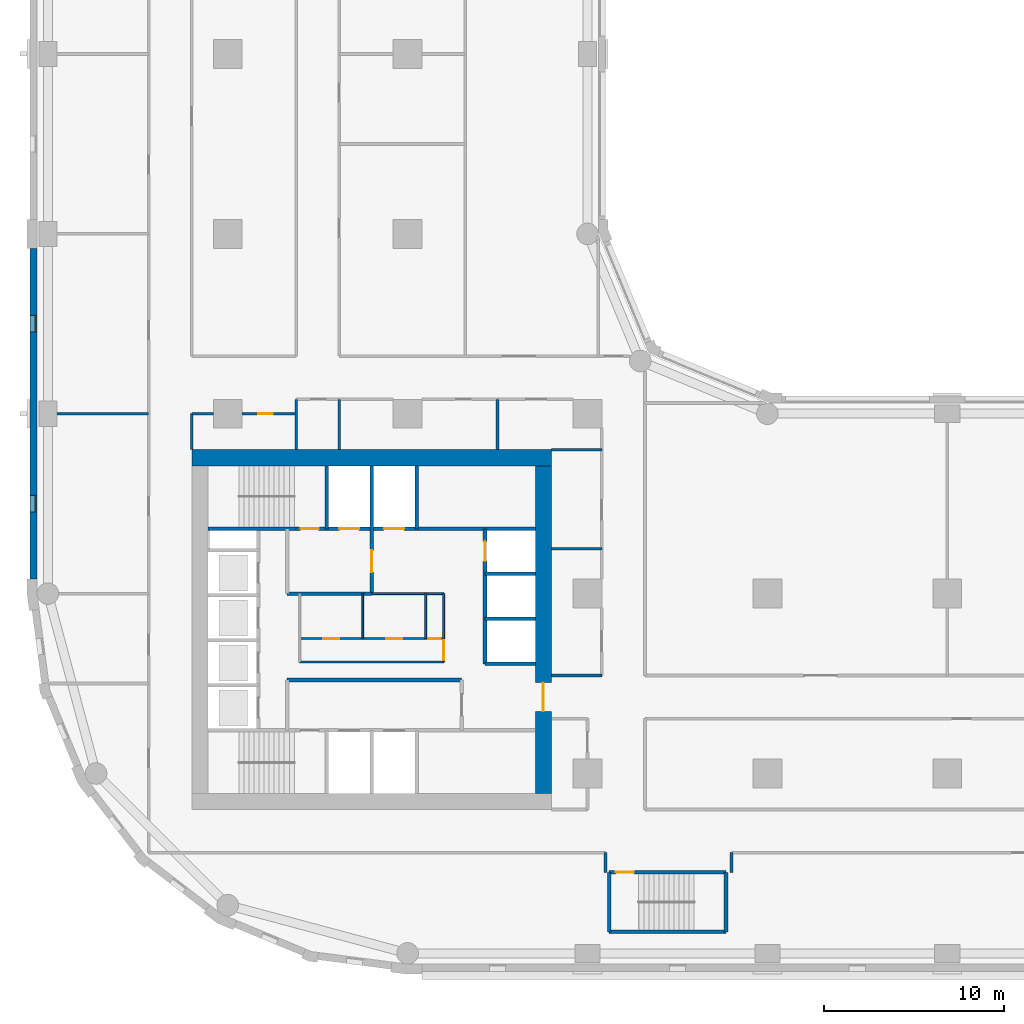
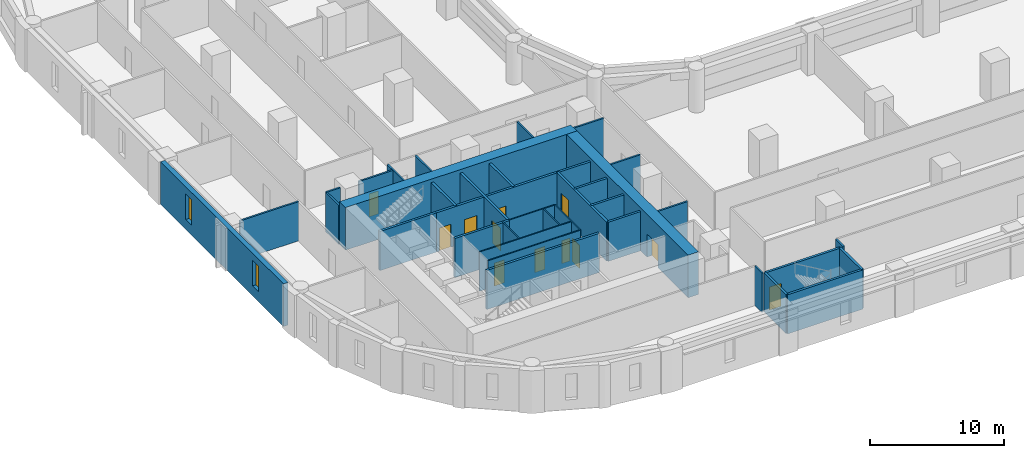
# One storey, part 3 of 10: 36 walls, 12 doors, 2 windows, 14 openings.
"""IFC4 building model written with IfcOpenShell, lengths in metres."""

from ifc_helpers import new_model, si_unit, direction, frame, frame_2d, origin, place, context, subcontext, project, spatial, rectangle, extrude, material, layer, layer_set, type_object, element, fill, save


model = new_model("IFC4")

# Units and contexts
model_context = context("Model", 3, precision=1e-05, world=origin(), true_north=direction((0.0, 1.0)))
body_context = subcontext(model_context, "Body", "Model", "MODEL_VIEW")
ifc_project = project(units=[si_unit("LENGTHUNIT", "METRE"), si_unit("AREAUNIT", "SQUARE_METRE"), si_unit("VOLUMEUNIT", "CUBIC_METRE"), si_unit("PLANEANGLEUNIT", "RADIAN"), si_unit("MASSUNIT", "GRAM", prefix="KILO")], contexts=[model_context])

# Site, building, storey
site_placement = place(None, origin())
site = spatial("IfcSite", under=ifc_project, at=site_placement, CompositionType="ELEMENT")
building_placement = place(site_placement, origin())
building = spatial("IfcBuilding", under=site, at=building_placement, Name="Qaws Garden Tower", CompositionType="ELEMENT")
storey_placement = place(building_placement, frame((0.0, 0.0, 58.800048828125)))
storey = spatial("IfcBuildingStorey", under=building, at=storey_placement, Name="L14", CompositionType="ELEMENT", Elevation=58.800048828125)

# Wall, openings, windows
ifc_material_1 = material(Name="Clay facing brick masonry", Category="masonry")
ifc_layer_1 = layer(ifc_material_1, 0.39990234375)
ifc_layer_set_1 = layer_set([ifc_layer_1], Name="Clay facing brick masonry")
wall_type_1 = type_object("IfcWallType", Name="Brick infill wall 400", PredefinedType="SOLIDWALL", material=ifc_layer_set_1)
wall_1_placement = place(storey_placement, frame((-0.800048828125, 39.199951171875, 0.0), z_axis=(0.0, 0.0, 1.0), x_axis=(0.0, -1.0, 0.0)))
wall_1 = element("IfcWall", 1, at=wall_1_placement, inside=storey, type_object=wall_type_1, Name="E-L14-infill-25", PredefinedType="SOLIDWALL", context=body_context, shape_type="SweptSolid", body=[
    extrude(rectangle(XDim=18.39990234375, YDim=0.39990234375, at=frame_2d((9.199951171875, 0.0))), origin(), (0.0, 0.0, 1.0), 3.89990234375),
])
opening_1_placement = place(wall_1_placement, frame((3.75, 0.0, 0.89990234375)))
opening_1 = element("IfcOpeningElement", 2, at=opening_1_placement, cuts=wall_1, Name="Opening W09", PredefinedType="OPENING", context=body_context, shape_type="SweptSolid", body=[
    extrude(rectangle(XDim=0.89990234375, YDim=2.35009765625, at=frame_2d((0.449951171875, 1.175048828125))), frame((0.0, 0.2099609375, 0.0), z_axis=(0.0, -1.0, 0.0), x_axis=(1.0, 0.0, 0.0)), (0.0, 0.0, 1.0), 0.419921875),
])
opening_2_placement = place(wall_1_placement, frame((13.75, 0.0, 0.89990234375)))
opening_2 = element("IfcOpeningElement", 3, at=opening_2_placement, cuts=wall_1, Name="Opening W09", PredefinedType="OPENING", context=body_context, shape_type="SweptSolid", body=[
    extrude(rectangle(XDim=0.89990234375, YDim=2.35009765625, at=frame_2d((0.449951171875, 1.175048828125))), frame((0.0, 0.2099609375, 0.0), z_axis=(0.0, -1.0, 0.0), x_axis=(1.0, 0.0, 0.0)), (0.0, 0.0, 1.0), 0.419921875),
])
ifc_material_2 = material(Name="Aluminium framed window, clear glazing", Category="aluminium")
window_type = type_object("IfcWindowType", Name="Slit window 900 x 2350", PartitioningType="SINGLE_PANEL", PredefinedType="WINDOW", material=ifc_material_2)
window_1_placement = place(opening_1_placement, origin())
window_1 = element("IfcWindow", 4, at=window_1_placement, inside=storey, type_object=window_type, Name="E-L14-window-25-0", OverallHeight=2.35009765625, OverallWidth=0.89990234375, PartitioningType="SINGLE_PANEL", PredefinedType="WINDOW", context=body_context, shape_type="SweptSolid", body=[
    extrude(rectangle(XDim=0.89990234375, YDim=2.35009765625, at=frame_2d((0.449951171875, 1.175048828125))), frame((0.0, 0.159912109375, 0.0), z_axis=(0.0, -1.0, 0.0), x_axis=(1.0, 0.0, 0.0)), (0.0, 0.0, 1.0), 0.06005859375),
])
fill(opening_1, window_1)
window_2_placement = place(opening_2_placement, origin())
window_2 = element("IfcWindow", 5, at=window_2_placement, inside=storey, type_object=window_type, Name="E-L14-window-26-0", OverallHeight=2.35009765625, OverallWidth=0.89990234375, PartitioningType="SINGLE_PANEL", PredefinedType="WINDOW", context=body_context, shape_type="SweptSolid", body=[
    extrude(rectangle(XDim=0.89990234375, YDim=2.35009765625, at=frame_2d((0.449951171875, 1.175048828125))), frame((0.0, 0.159912109375, 0.0), z_axis=(0.0, -1.0, 0.0), x_axis=(1.0, 0.0, 0.0)), (0.0, 0.0, 1.0), 0.06005859375),
])
fill(opening_2, window_2)

# Wall
ifc_material_3 = material(Name="Plasterboard")
ifc_layer_2 = layer(ifc_material_3, 0.10009765625)
ifc_layer_set_2 = layer_set([ifc_layer_2], Name="Plasterboard")
wall_type_2 = type_object("IfcWallType", Name="Core partition 100", PredefinedType="PARTITIONING", material=ifc_layer_set_2)
wall_2_placement = place(storey_placement, frame((14.0, 16.199951171875, 0.0), z_axis=(0.0, 0.0, 1.0), x_axis=(1.0, 0.0, 0.0)))
element("IfcWall", 6, at=wall_2_placement, inside=storey, type_object=wall_type_2, Name="Core partition", PredefinedType="PARTITIONING", context=body_context, shape_type="SweptSolid", body=[
    extrude(rectangle(XDim=8.0, YDim=0.10009765625, at=frame_2d((4.0, 0.0))), origin(), (0.0, 0.0, 1.0), 3.579833984375),
])

# Wall, openings, doors
wall_3_placement = place(storey_placement, frame((14.0, 17.5, 0.0), z_axis=(0.0, 0.0, 1.0), x_axis=(1.0, 0.0, 0.0)))
wall_3 = element("IfcWall", 7, at=wall_3_placement, inside=storey, type_object=wall_type_2, Name="Core partition", PredefinedType="PARTITIONING", context=body_context, shape_type="SweptSolid", body=[
    extrude(rectangle(XDim=8.0, YDim=0.10009765625, at=frame_2d((4.0, 0.0))), origin(), (0.0, 0.0, 1.0), 3.579833984375),
])
opening_3_placement = place(wall_3_placement, frame((1.300048828125, 0.0, 0.0)))
opening_3 = element("IfcOpeningElement", 8, at=opening_3_placement, cuts=wall_3, Name="Opening WD18", PredefinedType="OPENING", context=body_context, shape_type="SweptSolid", body=[
    extrude(rectangle(XDim=0.89990234375, YDim=2.10009765625, at=frame_2d((0.449951171875, 1.050048828125))), frame((0.0, 0.06005859375, 0.0), z_axis=(0.0, -1.0, 0.0), x_axis=(1.0, 0.0, 0.0)), (0.0, 0.0, 1.0), 0.1201171875),
])
opening_4_placement = place(wall_3_placement, frame((4.800048828125, 0.0, 0.0)))
opening_4 = element("IfcOpeningElement", 9, at=opening_4_placement, cuts=wall_3, Name="Opening WD19", PredefinedType="OPENING", context=body_context, shape_type="SweptSolid", body=[
    extrude(rectangle(XDim=0.89990234375, YDim=2.10009765625, at=frame_2d((0.449951171875, 1.050048828125))), frame((0.0, 0.06005859375, 0.0), z_axis=(0.0, -1.0, 0.0), x_axis=(1.0, 0.0, 0.0)), (0.0, 0.0, 1.0), 0.1201171875),
])
opening_5_placement = place(wall_3_placement, frame((7.14990234375, 0.0, 0.0)))
opening_5 = element("IfcOpeningElement", 10, at=opening_5_placement, cuts=wall_3, Name="Opening XD20", PredefinedType="OPENING", context=body_context, shape_type="SweptSolid", body=[
    extrude(rectangle(XDim=0.699951171875, YDim=2.10009765625, at=frame_2d((0.35009765625, 1.050048828125))), frame((0.0, 0.06005859375, 0.0), z_axis=(0.0, -1.0, 0.0), x_axis=(1.0, 0.0, 0.0)), (0.0, 0.0, 1.0), 0.1201171875),
])
ifc_material_4 = material(Name="Timber", Category="wood")
door_type_1 = type_object("IfcDoorType", Name="Store door 700x2100", OperationType="SINGLE_SWING_LEFT", PredefinedType="DOOR", material=ifc_material_4)
door_1_placement = place(opening_5_placement, origin())
door_1 = element("IfcDoor", 11, at=door_1_placement, inside=storey, type_object=door_type_1, Name="Cleaner's store door", OperationType="SINGLE_SWING_RIGHT", OverallHeight=2.10009765625, OverallWidth=0.699951171875, PredefinedType="DOOR", context=body_context, shape_type="SweptSolid", body=[
    extrude(rectangle(XDim=0.699951171875, YDim=2.10009765625, at=frame_2d((0.35009765625, 1.050048828125))), frame((0.0, 0.02490234375, 0.0), z_axis=(0.0, -1.0, 0.0), x_axis=(1.0, 0.0, 0.0)), (0.0, 0.0, 1.0), 0.050048828125),
])
fill(opening_5, door_1)
ifc_material_5 = material(Name="Timber", Category="wood")
door_type_2 = type_object("IfcDoorType", Name="WC door 900x2100", OperationType="SINGLE_SWING_LEFT", PredefinedType="DOOR", material=ifc_material_5)
door_2_placement = place(opening_3_placement, origin())
door_2 = element("IfcDoor", 12, at=door_2_placement, inside=storey, type_object=door_type_2, Name="Men's WC door", OperationType="SINGLE_SWING_RIGHT", OverallHeight=2.10009765625, OverallWidth=0.89990234375, PredefinedType="DOOR", context=body_context, shape_type="SweptSolid", body=[
    extrude(rectangle(XDim=0.89990234375, YDim=2.10009765625, at=frame_2d((0.449951171875, 1.050048828125))), frame((0.0, 0.02490234375, 0.0), z_axis=(0.0, -1.0, 0.0), x_axis=(1.0, 0.0, 0.0)), (0.0, 0.0, 1.0), 0.050048828125),
])
fill(opening_3, door_2)
door_3_placement = place(opening_4_placement, origin())
door_3 = element("IfcDoor", 13, at=door_3_placement, inside=storey, type_object=door_type_2, Name="Women's WC door", OperationType="SINGLE_SWING_RIGHT", OverallHeight=2.10009765625, OverallWidth=0.89990234375, PredefinedType="DOOR", context=body_context, shape_type="SweptSolid", body=[
    extrude(rectangle(XDim=0.89990234375, YDim=2.10009765625, at=frame_2d((0.449951171875, 1.050048828125))), frame((0.0, 0.02490234375, 0.0), z_axis=(0.0, -1.0, 0.0), x_axis=(1.0, 0.0, 0.0)), (0.0, 0.0, 1.0), 0.050048828125),
])
fill(opening_4, door_3)

# Walls
wall_4_placement = place(storey_placement, frame((18.0, 20.0, 0.0), z_axis=(0.0, 0.0, 1.0), x_axis=(1.0, 0.0, 0.0)))
element("IfcWall", 14, at=wall_4_placement, inside=storey, type_object=wall_type_2, Name="Core partition", PredefinedType="PARTITIONING", context=body_context, shape_type="SweptSolid", body=[
    extrude(rectangle(XDim=4.0, YDim=0.10009765625, at=frame_2d((2.0, 0.0))), origin(), (0.0, 0.0, 1.0), 3.579833984375),
])
for number, where, z_axis, x_axis, name in (
    (15, (17.5, 17.5, 0.0), (0.0, 0.0, 1.0), (0.0, 1.0, 0.0), "Core partition"),
    (16, (21.0, 17.5, 0.0), (0.0, 0.0, 1.0), (0.0, 1.0, 0.0), "Core partition"),
):
    element("IfcWall", number, at=place(storey_placement, frame(where, z_axis=z_axis, x_axis=x_axis)), inside=storey, type_object=wall_type_2, Name=name, PredefinedType="PARTITIONING", context=body_context, shape_type="SweptSolid", body=[
        extrude(rectangle(XDim=2.5, YDim=0.10009765625, at=frame_2d((1.25, 0.0))), origin(), (0.0, 0.0, 1.0), 3.579833984375),
    ])

# Wall, opening, door
wall_5_placement = place(storey_placement, frame((22.0, 16.199951171875, 0.0), z_axis=(0.0, 0.0, 1.0), x_axis=(0.0, 1.0, 0.0)))
wall_5 = element("IfcWall", 17, at=wall_5_placement, inside=storey, type_object=wall_type_2, Name="Core partition", PredefinedType="PARTITIONING", context=body_context, shape_type="SweptSolid", body=[
    extrude(rectangle(XDim=3.800048828125, YDim=0.10009765625, at=frame_2d((1.89990234375, 0.0))), origin(), (0.0, 0.0, 1.0), 3.579833984375),
])
opening_6_placement = place(wall_5_placement, frame((0.10009765625, 0.0, 0.0)))
opening_6 = element("IfcOpeningElement", 18, at=opening_6_placement, cuts=wall_5, Name="Opening WL17", PredefinedType="OPENING", context=body_context, shape_type="SweptSolid", body=[
    extrude(rectangle(XDim=1.10009765625, YDim=2.10009765625, at=frame_2d((0.550048828125, 1.050048828125))), frame((0.0, 0.06005859375, 0.0), z_axis=(0.0, -1.0, 0.0), x_axis=(1.0, 0.0, 0.0)), (0.0, 0.0, 1.0), 0.1201171875),
])
ifc_material_6 = material(Name="Timber", Category="wood")
door_type_3 = type_object("IfcDoorType", Name="WC lobby door 1100x2100", OperationType="SINGLE_SWING_LEFT", PredefinedType="DOOR", material=ifc_material_6)
door_4_placement = place(opening_6_placement, origin())
door_4 = element("IfcDoor", 19, at=door_4_placement, inside=storey, type_object=door_type_3, Name="WC lobby door", OperationType="SINGLE_SWING_RIGHT", OverallHeight=2.10009765625, OverallWidth=1.10009765625, PredefinedType="DOOR", context=body_context, shape_type="SweptSolid", body=[
    extrude(rectangle(XDim=1.10009765625, YDim=2.10009765625, at=frame_2d((0.550048828125, 1.050048828125))), frame((0.0, 0.02490234375, 0.0), z_axis=(0.0, -1.0, 0.0), x_axis=(1.0, 0.0, 0.0)), (0.0, 0.0, 1.0), 0.050048828125),
])
fill(opening_6, door_4)

# Wall
ifc_material_7 = material(Name="Concrete C80", Category="concrete")
ifc_layer_3 = layer(ifc_material_7, 0.199951171875)
ifc_layer_set_3 = layer_set([ifc_layer_3], Name="Concrete C80")
wall_type_3 = type_object("IfcWallType", Name="Core shaft wall 200 C80", PredefinedType="SHEAR", material=ifc_layer_set_3)
wall_6_placement = place(storey_placement, frame((31.199951171875, 1.199951171875, 0.0), z_axis=(0.0, 0.0, 1.0), x_axis=(1.0, 0.0, 0.0)))
element("IfcWall", 20, at=wall_6_placement, inside=storey, type_object=wall_type_3, Name="Shaft wall", PredefinedType="SHEAR", context=body_context, shape_type="SweptSolid", body=[
    extrude(rectangle(XDim=6.5, YDim=0.199951171875, at=frame_2d((3.25, 0.0))), origin(), (0.0, 0.0, 1.0), 3.579833984375),
])

# Wall, opening, door
wall_7_placement = place(storey_placement, frame((31.199951171875, 4.5, 0.0), z_axis=(0.0, 0.0, 1.0), x_axis=(1.0, 0.0, 0.0)))
wall_7 = element("IfcWall", 21, at=wall_7_placement, inside=storey, type_object=wall_type_3, Name="Shaft wall", PredefinedType="SHEAR", context=body_context, shape_type="SweptSolid", body=[
    extrude(rectangle(XDim=6.5, YDim=0.199951171875, at=frame_2d((3.25, 0.0))), origin(), (0.0, 0.0, 1.0), 3.579833984375),
])
opening_7_placement = place(wall_7_placement, frame((0.375, 0.0, 0.0)))
opening_7 = element("IfcOpeningElement", 22, at=opening_7_placement, cuts=wall_7, Name="Opening SD12", PredefinedType="OPENING", context=body_context, shape_type="SweptSolid", body=[
    extrude(rectangle(XDim=1.0, YDim=2.10009765625, at=frame_2d((0.5, 1.050048828125))), frame((0.0, 0.10986328125, 0.0), z_axis=(0.0, -1.0, 0.0), x_axis=(1.0, 0.0, 0.0)), (0.0, 0.0, 1.0), 0.219970703125),
])
ifc_material_8 = material(Name="Steel S235", Category="steel")
door_type_4 = type_object("IfcDoorType", Name="Stair door 1000x2100", OperationType="SINGLE_SWING_RIGHT", PredefinedType="DOOR", material=ifc_material_8)
door_5_placement = place(opening_7_placement, frame((1.0, 0.0, 0.0), z_axis=(0.0, 0.0, 1.0), x_axis=(-1.0, 0.0, 0.0)))
door_5 = element("IfcDoor", 23, at=door_5_placement, inside=storey, type_object=door_type_4, Name="Stair 5 door", OperationType="SINGLE_SWING_RIGHT", OverallHeight=2.10009765625, OverallWidth=1.0, PredefinedType="DOOR", context=body_context, shape_type="SweptSolid", body=[
    extrude(rectangle(XDim=1.0, YDim=2.10009765625, at=frame_2d((0.5, 1.050048828125))), frame((0.0, 0.02490234375, 0.0), z_axis=(0.0, -1.0, 0.0), x_axis=(1.0, 0.0, 0.0)), (0.0, 0.0, 1.0), 0.050048828125),
])
fill(opening_7, door_5)

# Walls
wall_8_placement = place(storey_placement, frame((13.300048828125, 15.199951171875, 0.0), z_axis=(0.0, 0.0, 1.0), x_axis=(1.0, 0.0, 0.0)))
element("IfcWall", 24, at=wall_8_placement, inside=storey, type_object=wall_type_3, Name="Shaft wall", PredefinedType="SHEAR", context=body_context, shape_type="SweptSolid", body=[
    extrude(rectangle(XDim=9.699951171875, YDim=0.199951171875, at=frame_2d((4.85009765625, 0.0))), origin(), (0.0, 0.0, 1.0), 3.579833984375),
])
for number, where, z_axis, x_axis, name in (
    (25, (24.300048828125, 16.10009765625, 0.0), (0.0, 0.0, 1.0), (1.0, 0.0, 0.0), "Shaft wall"),
    (26, (24.300048828125, 18.60009765625, 0.0), (0.0, 0.0, 1.0), (1.0, 0.0, 0.0), "Shaft wall"),
):
    element("IfcWall", number, at=place(storey_placement, frame(where, z_axis=z_axis, x_axis=x_axis)), inside=storey, type_object=wall_type_3, Name=name, PredefinedType="SHEAR", context=body_context, shape_type="SweptSolid", body=[
        extrude(rectangle(XDim=2.800048828125, YDim=0.199951171875, at=frame_2d((1.39990234375, 0.0))), origin(), (0.0, 0.0, 1.0), 3.579833984375),
    ])
wall_9_placement = place(storey_placement, frame((13.300048828125, 20.0, 0.0), z_axis=(0.0, 0.0, 1.0), x_axis=(1.0, 0.0, 0.0)))
element("IfcWall", 27, at=wall_9_placement, inside=storey, type_object=wall_type_3, Name="Shaft wall", PredefinedType="SHEAR", context=body_context, shape_type="SweptSolid", body=[
    extrude(rectangle(XDim=4.699951171875, YDim=0.199951171875, at=frame_2d((2.35009765625, 0.0))), origin(), (0.0, 0.0, 1.0), 3.579833984375),
])
wall_10_placement = place(storey_placement, frame((24.300048828125, 21.10009765625, 0.0), z_axis=(0.0, 0.0, 1.0), x_axis=(1.0, 0.0, 0.0)))
element("IfcWall", 28, at=wall_10_placement, inside=storey, type_object=wall_type_3, Name="Shaft wall", PredefinedType="SHEAR", context=body_context, shape_type="SweptSolid", body=[
    extrude(rectangle(XDim=2.800048828125, YDim=0.199951171875, at=frame_2d((1.39990234375, 0.0))), origin(), (0.0, 0.0, 1.0), 3.579833984375),
])
wall_11_placement = place(storey_placement, frame((8.89990234375, 23.60009765625, 0.0), z_axis=(0.0, 0.0, 1.0), x_axis=(1.0, 0.0, 0.0)))
element("IfcWall", 29, at=wall_11_placement, inside=storey, type_object=wall_type_3, Name="Shaft wall", PredefinedType="SHEAR", context=body_context, shape_type="SweptSolid", body=[
    extrude(rectangle(XDim=4.900146484375, YDim=0.199951171875, at=frame_2d((2.4501953125, 0.0))), origin(), (0.0, 0.0, 1.0), 3.579833984375),
])

# Wall, openings, doors
wall_12_placement = place(storey_placement, frame((13.800048828125, 23.60009765625, 0.0), z_axis=(0.0, 0.0, 1.0), x_axis=(1.0, 0.0, 0.0)))
wall_12 = element("IfcWall", 30, at=wall_12_placement, inside=storey, type_object=wall_type_3, Name="Shaft wall", PredefinedType="SHEAR", context=body_context, shape_type="SweptSolid", body=[
    extrude(rectangle(XDim=13.300048828125, YDim=0.199951171875, at=frame_2d((6.64990234375, 0.0))), origin(), (0.0, 0.0, 1.0), 3.579833984375),
])
opening_8_placement = place(wall_12_placement, frame((2.39990234375, 0.0, 0.0)))
opening_8 = element("IfcOpeningElement", 31, at=opening_8_placement, cuts=wall_12, Name="Opening LD08", PredefinedType="OPENING", context=body_context, shape_type="SweptSolid", body=[
    extrude(rectangle(XDim=1.10009765625, YDim=2.10009765625, at=frame_2d((0.550048828125, 1.050048828125))), frame((0.0, 0.10986328125, 0.0), z_axis=(0.0, -1.0, 0.0), x_axis=(1.0, 0.0, 0.0)), (0.0, 0.0, 1.0), 0.219970703125),
])
opening_9_placement = place(wall_12_placement, frame((4.89990234375, 0.0, 0.0)))
opening_9 = element("IfcOpeningElement", 32, at=opening_9_placement, cuts=wall_12, Name="Opening LD09", PredefinedType="OPENING", context=body_context, shape_type="SweptSolid", body=[
    extrude(rectangle(XDim=1.10009765625, YDim=2.10009765625, at=frame_2d((0.550048828125, 1.050048828125))), frame((0.0, 0.10986328125, 0.0), z_axis=(0.0, -1.0, 0.0), x_axis=(1.0, 0.0, 0.0)), (0.0, 0.0, 1.0), 0.219970703125),
])
opening_10_placement = place(wall_12_placement, frame((0.25, 0.0, 0.0)))
opening_10 = element("IfcOpeningElement", 33, at=opening_10_placement, cuts=wall_12, Name="Opening SD11", PredefinedType="OPENING", context=body_context, shape_type="SweptSolid", body=[
    extrude(rectangle(XDim=1.0, YDim=2.10009765625, at=frame_2d((0.5, 1.050048828125))), frame((0.0, 0.10986328125, 0.0), z_axis=(0.0, -1.0, 0.0), x_axis=(1.0, 0.0, 0.0)), (0.0, 0.0, 1.0), 0.219970703125),
])
ifc_material_9 = material(Name="Steel S235", Category="steel")
door_type_5 = type_object("IfcDoorType", Name="Landing door 1100x2100", OperationType="DOUBLE_DOOR_SLIDING", PredefinedType="DOOR", material=ifc_material_9)
door_6_placement = place(opening_8_placement, origin())
door_6 = element("IfcDoor", 34, at=door_6_placement, inside=storey, type_object=door_type_5, Name="Lift FF3 landing door", OperationType="DOUBLE_DOOR_SLIDING", OverallHeight=2.10009765625, OverallWidth=1.10009765625, PredefinedType="DOOR", context=body_context, shape_type="SweptSolid", body=[
    extrude(rectangle(XDim=1.10009765625, YDim=2.10009765625, at=frame_2d((0.550048828125, 1.050048828125))), frame((0.0, 0.02490234375, 0.0), z_axis=(0.0, -1.0, 0.0), x_axis=(1.0, 0.0, 0.0)), (0.0, 0.0, 1.0), 0.050048828125),
])
fill(opening_8, door_6)
door_7_placement = place(opening_9_placement, origin())
door_7 = element("IfcDoor", 35, at=door_7_placement, inside=storey, type_object=door_type_5, Name="Lift SV2 landing door", OperationType="DOUBLE_DOOR_SLIDING", OverallHeight=2.10009765625, OverallWidth=1.10009765625, PredefinedType="DOOR", context=body_context, shape_type="SweptSolid", body=[
    extrude(rectangle(XDim=1.10009765625, YDim=2.10009765625, at=frame_2d((0.550048828125, 1.050048828125))), frame((0.0, 0.02490234375, 0.0), z_axis=(0.0, -1.0, 0.0), x_axis=(1.0, 0.0, 0.0)), (0.0, 0.0, 1.0), 0.050048828125),
])
fill(opening_9, door_7)
door_8_placement = place(opening_10_placement, origin())
door_8 = element("IfcDoor", 36, at=door_8_placement, inside=storey, type_object=door_type_4, Name="Stair 4 door", OperationType="SINGLE_SWING_RIGHT", OverallHeight=2.10009765625, OverallWidth=1.0, PredefinedType="DOOR", context=body_context, shape_type="SweptSolid", body=[
    extrude(rectangle(XDim=1.0, YDim=2.10009765625, at=frame_2d((0.5, 1.050048828125))), frame((0.0, 0.02490234375, 0.0), z_axis=(0.0, -1.0, 0.0), x_axis=(1.0, 0.0, 0.0)), (0.0, 0.0, 1.0), 0.050048828125),
])
fill(opening_10, door_8)

# Wall
wall_13_placement = place(storey_placement, frame((15.5, 23.60009765625, 0.0), z_axis=(0.0, 0.0, 1.0), x_axis=(0.0, 1.0, 0.0)))
element("IfcWall", 37, at=wall_13_placement, inside=storey, type_object=wall_type_3, Name="Shaft wall", PredefinedType="SHEAR", context=body_context, shape_type="SweptSolid", body=[
    extrude(rectangle(XDim=3.5, YDim=0.199951171875, at=frame_2d((1.75, 0.0))), origin(), (0.0, 0.0, 1.0), 3.579833984375),
])

# Wall, opening, door
wall_14_placement = place(storey_placement, frame((18.0, 20.0, 0.0), z_axis=(0.0, 0.0, 1.0), x_axis=(0.0, 1.0, 0.0)))
wall_14 = element("IfcWall", 38, at=wall_14_placement, inside=storey, type_object=wall_type_3, Name="Shaft wall", PredefinedType="SHEAR", context=body_context, shape_type="SweptSolid", body=[
    extrude(rectangle(XDim=7.10009765625, YDim=0.199951171875, at=frame_2d((3.550048828125, 0.0))), origin(), (0.0, 0.0, 1.0), 3.579833984375),
])
opening_11_placement = place(wall_14_placement, frame((1.199951171875, 0.0, 0.0)))
opening_11 = element("IfcOpeningElement", 39, at=opening_11_placement, cuts=wall_14, Name="Opening FD16", PredefinedType="OPENING", context=body_context, shape_type="SweptSolid", body=[
    extrude(rectangle(XDim=1.199951171875, YDim=2.10009765625, at=frame_2d((0.60009765625, 1.050048828125))), frame((0.0, 0.10986328125, 0.0), z_axis=(0.0, -1.0, 0.0), x_axis=(1.0, 0.0, 0.0)), (0.0, 0.0, 1.0), 0.219970703125),
])
ifc_material_10 = material(Name="Steel S235", Category="steel")
door_type_6 = type_object("IfcDoorType", Name="Lobby door 1200x2100", OperationType="DOUBLE_DOOR_SINGLE_SWING", PredefinedType="DOOR", material=ifc_material_10)
door_9_placement = place(opening_11_placement, origin())
door_9 = element("IfcDoor", 40, at=door_9_placement, inside=storey, type_object=door_type_6, Name="Fire-fighting lobby door", OperationType="DOUBLE_DOOR_SINGLE_SWING", OverallHeight=2.10009765625, OverallWidth=1.199951171875, PredefinedType="DOOR", context=body_context, shape_type="SweptSolid", body=[
    extrude(rectangle(XDim=1.199951171875, YDim=2.10009765625, at=frame_2d((0.60009765625, 1.050048828125))), frame((0.0, 0.02490234375, 0.0), z_axis=(0.0, -1.0, 0.0), x_axis=(1.0, 0.0, 0.0)), (0.0, 0.0, 1.0), 0.050048828125),
])
fill(opening_11, door_9)

# Wall
wall_15_placement = place(storey_placement, frame((20.5, 23.60009765625, 0.0), z_axis=(0.0, 0.0, 1.0), x_axis=(0.0, 1.0, 0.0)))
element("IfcWall", 41, at=wall_15_placement, inside=storey, type_object=wall_type_3, Name="Shaft wall", PredefinedType="SHEAR", context=body_context, shape_type="SweptSolid", body=[
    extrude(rectangle(XDim=3.5, YDim=0.199951171875, at=frame_2d((1.75, 0.0))), origin(), (0.0, 0.0, 1.0), 3.579833984375),
])

# Wall, opening, door
wall_16_placement = place(storey_placement, frame((24.300048828125, 16.10009765625, 0.0), z_axis=(0.0, 0.0, 1.0), x_axis=(0.0, 1.0, 0.0)))
wall_16 = element("IfcWall", 42, at=wall_16_placement, inside=storey, type_object=wall_type_3, Name="Shaft wall", PredefinedType="SHEAR", context=body_context, shape_type="SweptSolid", body=[
    extrude(rectangle(XDim=7.5, YDim=0.199951171875, at=frame_2d((3.75, 0.0))), origin(), (0.0, 0.0, 1.0), 3.579833984375),
])
opening_12_placement = place(wall_16_placement, frame((5.699951171875, 0.0, 0.0)))
opening_12 = element("IfcOpeningElement", 43, at=opening_12_placement, cuts=wall_16, Name="Opening LD05", PredefinedType="OPENING", context=body_context, shape_type="SweptSolid", body=[
    extrude(rectangle(XDim=1.10009765625, YDim=2.10009765625, at=frame_2d((0.550048828125, 1.050048828125))), frame((0.0, 0.10986328125, 0.0), z_axis=(0.0, -1.0, 0.0), x_axis=(1.0, 0.0, 0.0)), (0.0, 0.0, 1.0), 0.219970703125),
])
door_10_placement = place(opening_12_placement, origin())
door_10 = element("IfcDoor", 44, at=door_10_placement, inside=storey, type_object=door_type_5, Name="Lift E3 landing door", OperationType="DOUBLE_DOOR_SLIDING", OverallHeight=2.10009765625, OverallWidth=1.10009765625, PredefinedType="DOOR", context=body_context, shape_type="SweptSolid", body=[
    extrude(rectangle(XDim=1.10009765625, YDim=2.10009765625, at=frame_2d((0.550048828125, 1.050048828125))), frame((0.0, 0.02490234375, 0.0), z_axis=(0.0, -1.0, 0.0), x_axis=(1.0, 0.0, 0.0)), (0.0, 0.0, 1.0), 0.050048828125),
])
fill(opening_12, door_10)

# Walls
for number, where, z_axis, x_axis, name in (
    (45, (31.199951171875, 1.199951171875, 0.0), (0.0, 0.0, 1.0), (0.0, 1.0, 0.0), "Shaft wall"),
    (46, (37.699951171875, 1.199951171875, 0.0), (0.0, 0.0, 1.0), (0.0, 1.0, 0.0), "Shaft wall"),
):
    element("IfcWall", number, at=place(storey_placement, frame(where, z_axis=z_axis, x_axis=x_axis)), inside=storey, type_object=wall_type_3, Name=name, PredefinedType="SHEAR", context=body_context, shape_type="SweptSolid", body=[
        extrude(rectangle(XDim=3.300048828125, YDim=0.199951171875, at=frame_2d((1.64990234375, 0.0))), origin(), (0.0, 0.0, 1.0), 3.579833984375),
    ])

# Wall, opening, door
ifc_material_11 = material(Name="Concrete C80", Category="concrete")
ifc_layer_4 = layer(ifc_material_11, 0.89990234375)
ifc_layer_set_4 = layer_set([ifc_layer_4], Name="Concrete C80")
wall_type_4 = type_object("IfcWallType", Name="Core wall 900 C80", PredefinedType="SHEAR", material=ifc_layer_set_4)
wall_17_placement = place(storey_placement, frame((27.550048828125, 8.89990234375, 0.0), z_axis=(0.0, 0.0, 1.0), x_axis=(0.0, 1.0, 0.0)))
wall_17 = element("IfcWall", 47, at=wall_17_placement, inside=storey, type_object=wall_type_4, Name="Core wall L14 east", PredefinedType="SHEAR", context=body_context, shape_type="SweptSolid", body=[
    extrude(rectangle(XDim=18.2001953125, YDim=0.89990234375, at=frame_2d((9.10009765625, 0.0))), origin(), (0.0, 0.0, 1.0), 3.89990234375),
])
opening_13_placement = place(wall_17_placement, frame((4.550048828125, 0.0, 0.0)))
opening_13 = element("IfcOpeningElement", 48, at=opening_13_placement, cuts=wall_17, Name="Opening ED21", PredefinedType="OPENING", context=body_context, shape_type="SweptSolid", body=[
    extrude(rectangle(XDim=1.60009765625, YDim=2.10009765625, at=frame_2d((0.800048828125, 1.050048828125))), frame((0.0, 0.4599609375, 0.0), z_axis=(0.0, -1.0, 0.0), x_axis=(1.0, 0.0, 0.0)), (0.0, 0.0, 1.0), 0.919921875),
])
ifc_material_12 = material(Name="Steel S235", Category="steel")
door_type_7 = type_object("IfcDoorType", Name="Core entrance door 1600x2100", OperationType="DOUBLE_DOOR_SINGLE_SWING", PredefinedType="DOOR", material=ifc_material_12)
door_11_placement = place(opening_13_placement, origin())
door_11 = element("IfcDoor", 49, at=door_11_placement, inside=storey, type_object=door_type_7, Name="Core entrance door", OperationType="DOUBLE_DOOR_SINGLE_SWING", OverallHeight=2.10009765625, OverallWidth=1.60009765625, PredefinedType="DOOR", context=body_context, shape_type="SweptSolid", body=[
    extrude(rectangle(XDim=1.60009765625, YDim=2.10009765625, at=frame_2d((0.800048828125, 1.050048828125))), frame((0.0, 0.02490234375, 0.0), z_axis=(0.0, -1.0, 0.0), x_axis=(1.0, 0.0, 0.0)), (0.0, 0.0, 1.0), 0.050048828125),
])
fill(opening_13, door_11)

# Walls
wall_18_placement = place(storey_placement, frame((28.0, 27.550048828125, 0.0), z_axis=(0.0, 0.0, 1.0), x_axis=(-1.0, 0.0, 0.0)))
element("IfcWall", 50, at=wall_18_placement, inside=storey, type_object=wall_type_4, Name="Core wall L14 north", PredefinedType="SHEAR", context=body_context, shape_type="SweptSolid", body=[
    extrude(rectangle(XDim=20.0, YDim=0.89990234375, at=frame_2d((10.0, 0.0))), origin(), (0.0, 0.0, 1.0), 3.89990234375),
])
ifc_material_13 = material(Name="Gypsum board partition")
ifc_layer_5 = layer(ifc_material_13, 0.14990234375)
ifc_layer_set_5 = layer_set([ifc_layer_5], Name="Gypsum board partition")
wall_type_5 = type_object("IfcWallType", Name="PARTITION 150 EI 60", PredefinedType="PARTITIONING", material=ifc_layer_set_5)
wall_19_placement = place(storey_placement, frame((8.0, 28.0, 0.0), z_axis=(0.0, 0.0, 1.0), x_axis=(0.0, 1.0, 0.0)))
element("IfcWall", 51, at=wall_19_placement, inside=storey, type_object=wall_type_5, Name="O-L14-wall-002", PredefinedType="PARTITIONING", context=body_context, shape_type="SweptSolid", body=[
    extrude(rectangle(XDim=2.0, YDim=0.14990234375, at=frame_2d((1.0, 0.0))), origin(), (0.0, 0.0, 1.0), 3.579833984375),
])
for number, where, z_axis, x_axis, name in (
    (52, (13.800048828125, 28.0, 0.0), (0.0, 0.0, 1.0), (0.0, 1.0, 0.0), "O-L14-wall-005"),
    (53, (16.199951171875, 28.0, 0.0), (0.0, 0.0, 1.0), (0.0, 1.0, 0.0), "O-L14-wall-007"),
    (54, (25.0, 28.0, 0.0), (0.0, 0.0, 1.0), (0.0, 1.0, 0.0), "O-L14-wall-011"),
):
    element("IfcWall", number, at=place(storey_placement, frame(where, z_axis=z_axis, x_axis=x_axis)), inside=storey, type_object=wall_type_5, Name=name, PredefinedType="PARTITIONING", context=body_context, shape_type="SweptSolid", body=[
        extrude(rectangle(XDim=2.800048828125, YDim=0.14990234375, at=frame_2d((1.39990234375, 0.0))), origin(), (0.0, 0.0, 1.0), 3.579833984375),
    ])
for number, where, z_axis, x_axis, name in (
    (55, (31.0, 4.5, 0.0), (0.0, 0.0, 1.0), (0.0, 1.0, 0.0), "O-L14-wall-018"),
    (56, (38.0, 4.5, 0.0), (0.0, 0.0, 1.0), (0.0, 1.0, 0.0), "O-L14-wall-021"),
):
    element("IfcWall", number, at=place(storey_placement, frame(where, z_axis=z_axis, x_axis=x_axis)), inside=storey, type_object=wall_type_5, Name=name, PredefinedType="PARTITIONING", context=body_context, shape_type="SweptSolid", body=[
        extrude(rectangle(XDim=1.10009765625, YDim=0.14990234375, at=frame_2d((0.550048828125, 0.0))), origin(), (0.0, 0.0, 1.0), 3.579833984375),
    ])
for number, where, z_axis, x_axis, name in (
    (57, (28.0, 15.449951171875, 0.0), (0.0, 0.0, 1.0), (1.0, 0.0, 0.0), "O-L14-wall-033"),
    (58, (28.0, 22.5, 0.0), (0.0, 0.0, 1.0), (1.0, 0.0, 0.0), "O-L14-wall-036"),
    (59, (28.0, 28.0, 0.0), (0.0, 0.0, 1.0), (1.0, 0.0, 0.0), "O-L14-wall-037"),
):
    element("IfcWall", number, at=place(storey_placement, frame(where, z_axis=z_axis, x_axis=x_axis)), inside=storey, type_object=wall_type_5, Name=name, PredefinedType="PARTITIONING", context=body_context, shape_type="SweptSolid", body=[
        extrude(rectangle(XDim=2.800048828125, YDim=0.14990234375, at=frame_2d((1.39990234375, 0.0))), origin(), (0.0, 0.0, 1.0), 3.579833984375),
    ])
wall_20_placement = place(storey_placement, frame((0.5, 30.0, 0.0), z_axis=(0.0, 0.0, 1.0), x_axis=(1.0, 0.0, 0.0)))
element("IfcWall", 60, at=wall_20_placement, inside=storey, type_object=wall_type_5, Name="O-L14-wall-038", PredefinedType="PARTITIONING", context=body_context, shape_type="SweptSolid", body=[
    extrude(rectangle(XDim=5.10009765625, YDim=0.14990234375, at=frame_2d((2.550048828125, 0.0))), origin(), (0.0, 0.0, 1.0), 3.579833984375),
])
wall_21_placement = place(storey_placement, frame((8.0, 30.0, 0.0), z_axis=(0.0, 0.0, 1.0), x_axis=(1.0, 0.0, 0.0)))
element("IfcWall", 61, at=wall_21_placement, inside=storey, type_object=wall_type_5, Name="O-L14-wall-039", PredefinedType="PARTITIONING", context=body_context, shape_type="SweptSolid", body=[
    extrude(rectangle(XDim=1.199951171875, YDim=0.14990234375, at=frame_2d((0.60009765625, 0.0))), origin(), (0.0, 0.0, 1.0), 3.579833984375),
])

# Wall, opening, door
wall_22_placement = place(storey_placement, frame((10.800048828125, 30.0, 0.0), z_axis=(0.0, 0.0, 1.0), x_axis=(1.0, 0.0, 0.0)))
wall_22 = element("IfcWall", 62, at=wall_22_placement, inside=storey, type_object=wall_type_5, Name="O-L14-wall-040", PredefinedType="PARTITIONING", context=body_context, shape_type="SweptSolid", body=[
    extrude(rectangle(XDim=3.0, YDim=0.14990234375, at=frame_2d((1.5, 0.0))), origin(), (0.0, 0.0, 1.0), 3.579833984375),
])
opening_14_placement = place(wall_22_placement, frame((0.89990234375, 0.0, 0.0)))
opening_14 = element("IfcOpeningElement", 63, at=opening_14_placement, cuts=wall_22, Name="Opening A505", PredefinedType="OPENING", context=body_context, shape_type="SweptSolid", body=[
    extrude(rectangle(XDim=0.800048828125, YDim=2.10009765625, at=frame_2d((0.39990234375, 1.050048828125))), frame((0.0, 0.0849609375, 0.0), z_axis=(0.0, -1.0, 0.0), x_axis=(1.0, 0.0, 0.0)), (0.0, 0.0, 1.0), 0.169921875),
])
ifc_material_14 = material(Name="Timber door leaf", Category="wood")
door_type_8 = type_object("IfcDoorType", Name="STORE DOOR 800 X 2100", OperationType="SINGLE_SWING_LEFT", PredefinedType="DOOR", material=ifc_material_14)
door_12_placement = place(opening_14_placement, frame((0.800048828125, 0.0, 0.0), z_axis=(0.0, 0.0, 1.0), x_axis=(-1.0, 0.0, 0.0)))
door_12 = element("IfcDoor", 64, at=door_12_placement, inside=storey, type_object=door_type_8, Name="O-L14-door-005", OperationType="SINGLE_SWING_RIGHT", OverallHeight=2.10009765625, OverallWidth=0.800048828125, PredefinedType="DOOR", context=body_context, shape_type="SweptSolid", body=[
    extrude(rectangle(XDim=0.800048828125, YDim=2.10009765625, at=frame_2d((0.39990234375, 1.050048828125))), frame((0.0, 0.02490234375, 0.0), z_axis=(0.0, -1.0, 0.0), x_axis=(1.0, 0.0, 0.0)), (0.0, 0.0, 1.0), 0.050048828125),
])
fill(opening_14, door_12)

save(model, "model.ifc")
